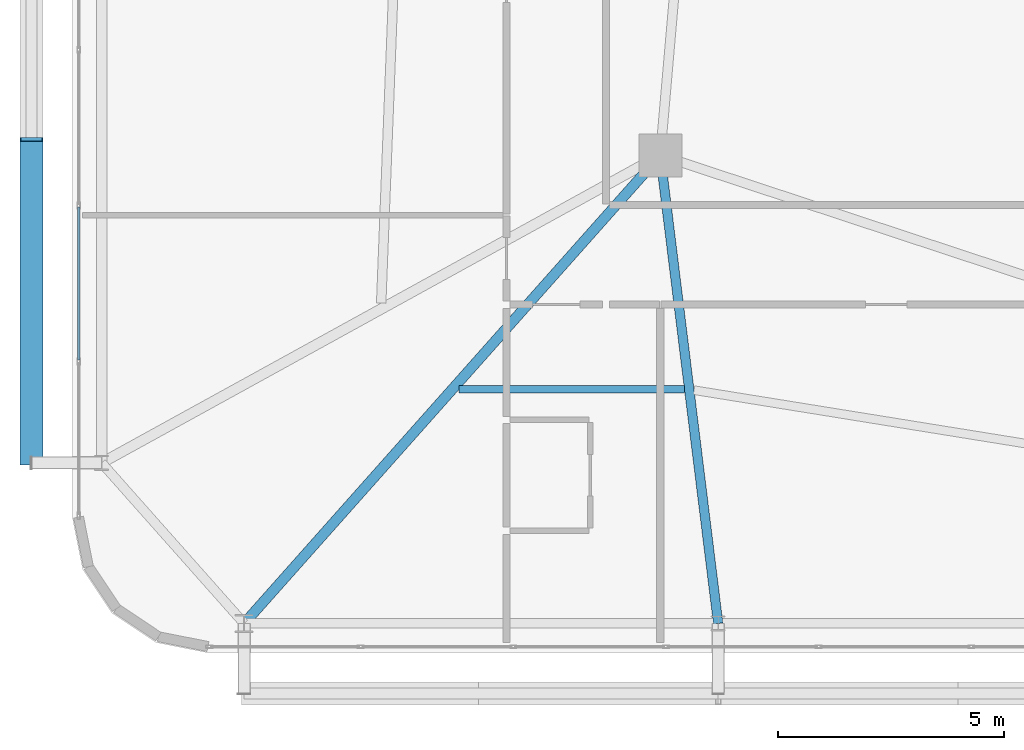
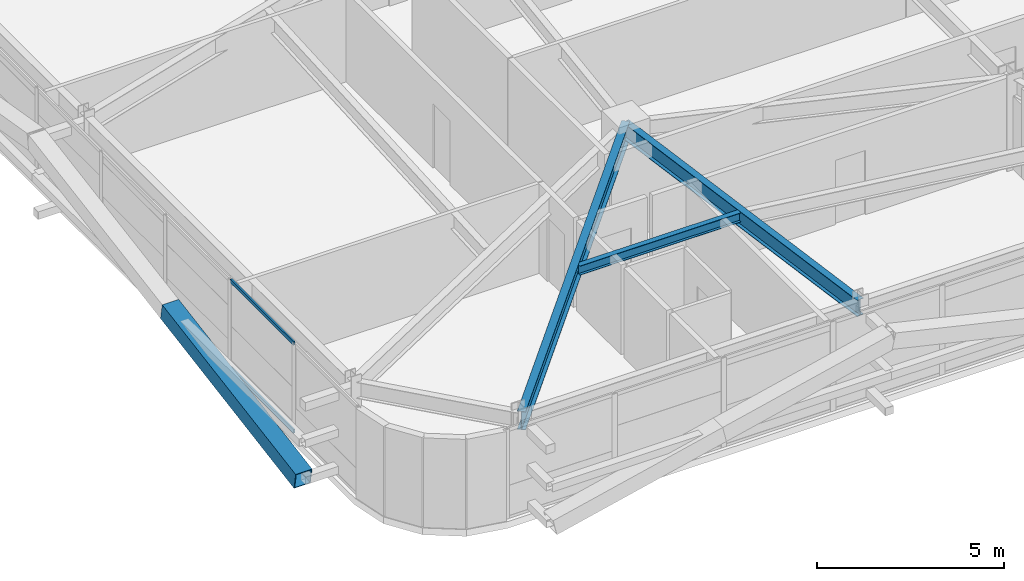
# One storey, part 7 of 59: 3 beams, 3 members, 1 element without a shape of its own.
"""IFC4 building model written with IfcOpenShell, lengths in metres."""

from ifc_helpers import new_model, si_unit, direction, frame, origin, origin_2d, place, context, subcontext, project, spatial, hollow_rectangle, i_section, extrude, source, transform, mapped, material, layer, layer_set, material_profile, profile_set, type_object, element, aggregate, save


model = new_model("IFC4")

# Units and contexts
model_context = context("Model", 3, precision=1e-05, world=origin(), true_north=direction((0.0, 1.0)))
body_context = subcontext(model_context, "Body", "Model", "MODEL_VIEW")
ifc_project = project(units=[si_unit("LENGTHUNIT", "METRE"), si_unit("AREAUNIT", "SQUARE_METRE"), si_unit("VOLUMEUNIT", "CUBIC_METRE"), si_unit("PLANEANGLEUNIT", "RADIAN"), si_unit("MASSUNIT", "GRAM", prefix="KILO")], contexts=[model_context])

# Site, building, storey
site_placement = place(None, origin())
site = spatial("IfcSite", under=ifc_project, at=site_placement, CompositionType="ELEMENT")
building_placement = place(site_placement, origin())
building = spatial("IfcBuilding", under=site, at=building_placement, Name="Taldren Reach Tower", CompositionType="ELEMENT")
storey_placement = place(building_placement, frame((0.0, 0.0, 29.39990234375)))
storey = spatial("IfcBuildingStorey", under=building, at=storey_placement, Name="L08", CompositionType="ELEMENT", Elevation=29.39990234375)

# Beams
ifc_material_1 = material(Name="Steel Gr 350 (350PLUS)", Category="steel")
ifc_material_profile_1 = material_profile(ifc_material_1, i_section(OverallWidth=0.22802734375, OverallDepth=0.60205078125, WebThickness=0.010498046875, FlangeThickness=0.014892578125, at=origin_2d()), Name="610UB101")
ifc_profile_set_1 = profile_set([ifc_material_profile_1], Name="Steel Gr 350 (350PLUS)")
beam_type_1 = type_object("IfcBeamType", Name="BM-UB610B", PredefinedType="BEAM", material=ifc_profile_set_1)
shared_shape_1 = source(origin(), body_context, "Body", "SweptSolid", [
    extrude(i_section(OverallWidth=0.22802734375, OverallDepth=0.60205078125, WebThickness=0.010498046875, FlangeThickness=0.014892578125, at=origin_2d()), origin(), (0.0, 0.0, 1.0), 13.847900390625),
])
beam_1_placement = place(storey_placement, frame((18.0, 12.5, 2.629150390625), z_axis=(-0.664358367375, -0.747414182164, 0.0), x_axis=(0.747414182164, -0.664358367375, 0.0)))
element("IfcBeam", 1, at=beam_1_placement, inside=storey, type_object=beam_type_1, Name="Primary floor girder B1-S1 L08", PredefinedType="BEAM", context=body_context, shape_type="MappedRepresentation", body=[
    mapped(shared_shape_1, transform((0.0, 0.0, 0.0), scale=1.0)),
])
ifc_material_profile_2 = material_profile(ifc_material_1, i_section(OverallWidth=0.208984375, OverallDepth=0.532958984375, WebThickness=0.01025390625, FlangeThickness=0.015625, at=origin_2d()), Name="530UB92.4")
ifc_profile_set_2 = profile_set([ifc_material_profile_2], Name="Steel Gr 350 (350PLUS)")
beam_type_2 = type_object("IfcBeamType", Name="BM-UB530A", PredefinedType="BEAM", material=ifc_profile_set_2)
shared_shape_2 = source(origin(), body_context, "Body", "SweptSolid", [
    extrude(i_section(OverallWidth=0.208984375, OverallDepth=0.532958984375, WebThickness=0.01025390625, FlangeThickness=0.015625, at=origin_2d()), origin(), (0.0, 0.0, 1.0), 10.428955078125),
])
beam_2_placement = place(storey_placement, frame((18.0, 12.5, 2.66357421875), z_axis=(0.122738080664, -0.992439098159, 0.0), x_axis=(0.992439098159, 0.122738080664, 0.0)))
element("IfcBeam", 2, at=beam_2_placement, inside=storey, type_object=beam_type_2, Name="Primary floor girder B1-S2 L08", PredefinedType="BEAM", context=body_context, shape_type="MappedRepresentation", body=[
    mapped(shared_shape_2, transform((0.0, 0.0, 0.0), scale=1.0)),
])
ifc_material_2 = material(Name="Steel Gr 300 (300PLUS, 300 MPa)", Category="steel")
ifc_material_profile_3 = material_profile(ifc_material_2, i_section(OverallWidth=0.166015625, OverallDepth=0.306884765625, WebThickness=0.006591796875, FlangeThickness=0.01171875, at=origin_2d()), Name="310UB46.2")
ifc_profile_set_3 = profile_set([ifc_material_profile_3], Name="Steel Gr 300 (300PLUS, 300 MPa)")
beam_type_3 = type_object("IfcBeamType", Name="JS-UB310", PredefinedType="JOIST", material=ifc_profile_set_3)
shared_shape_3 = source(origin(), body_context, "Body", "SweptSolid", [
    extrude(i_section(OverallWidth=0.166015625, OverallDepth=0.306884765625, WebThickness=0.006591796875, FlangeThickness=0.01171875, at=origin_2d()), origin(), (0.0, 0.0, 1.0), 4.982177734375),
])
beam_3_placement = place(storey_placement, frame((13.552490234375, 7.324951171875, 2.776611328125), z_axis=(1.0, 0.0, 0.0), x_axis=(0.0, 1.0, 0.0)))
element("IfcBeam", 3, at=beam_3_placement, inside=storey, type_object=beam_type_3, Name="Secondary floor joist B1 J1 L08", PredefinedType="JOIST", context=body_context, shape_type="MappedRepresentation", body=[
    mapped(shared_shape_3, transform((0.0, 0.0, 0.0), scale=1.0)),
])

# Member
ifc_material_3 = material(Name="Steel Gr 450 (C450L0)", Category="steel")
ifc_material_profile_4 = material_profile(ifc_material_3, hollow_rectangle(XDim=0.510009765625, YDim=0.510009765625, WallThickness=0.02001953125, at=origin_2d()), Name="510x510x20.0SHS")
ifc_profile_set_4 = profile_set([ifc_material_profile_4], Name="Steel Gr 450 (C450L0)")
member_type_1 = type_object("IfcMemberType", Name="MB-EXO508", PredefinedType="BRACE", material=ifc_profile_set_4)
shared_shape_4 = source(origin(), body_context, "Body", "SweptSolid", [
    extrude(hollow_rectangle(XDim=0.510009765625, YDim=0.510009765625, WallThickness=0.02001953125, at=origin_2d()), origin(), (0.0, 0.0, 1.0), 7.252685546875),
])
member_1_placement = place(storey_placement, frame((4.10009765625, 5.699951171875, 0.22021484375), z_axis=(0.0, 0.985871360071, 0.167504213054), x_axis=(-1.0, 0.0, 0.0)))
element("IfcMember", 4, at=member_1_placement, inside=storey, type_object=member_type_1, Name="Exoskeleton Diagrid Brace B1-W1 L08", PredefinedType="BRACE", context=body_context, shape_type="MappedRepresentation", body=[
    mapped(shared_shape_4, transform((0.0, 0.0, 0.0), scale=1.0)),
])

# Curtain wall, members
ifc_material_4 = material(Name="Aluminium and Low-E Glass Unitised System", Category="aluminium")
ifc_layer = layer(ifc_material_4, 0.159912109375)
ifc_layer_set = layer_set([ifc_layer], Name="Aluminium and Low-E Glass Unitised System")
curtain_wall_type = type_object("IfcCurtainWallType", Name="CW-SYS-2", PredefinedType="NOTDEFINED", material=ifc_layer_set)
curtain_wall_placement = place(storey_placement, origin())
curtain_wall = element("IfcCurtainWall", 5, at=curtain_wall_placement, inside=storey, type_object=curtain_wall_type, Name="Unitised curtain wall CW-L08-W", PredefinedType="NOTDEFINED")
ifc_material_5 = material(Name="Anodised Aluminium 6063-T6", Category="aluminium")
ifc_material_profile_5 = material_profile(ifc_material_5, hollow_rectangle(XDim=0.054931640625, YDim=0.1201171875, WallThickness=0.0029296875, at=origin_2d()), Name="ALU-120x55x3RHS")
ifc_profile_set_5 = profile_set([ifc_material_profile_5], Name="Anodised Aluminium 6063-T6")
member_type_2 = type_object("IfcMemberType", Name="CW-TRN-135", PredefinedType="USERDEFINED", material=ifc_profile_set_5)
shared_shape_5 = source(origin(), body_context, "Body", "SweptSolid", [
    extrude(hollow_rectangle(XDim=0.054931640625, YDim=0.1201171875, WallThickness=0.0029296875, at=origin_2d()), origin(), (0.0, 0.0, 1.0), 3.37939453125),
])
member_2_placement = place(storey_placement, frame((5.139892578125, 11.3564453125, 0.027587890625), z_axis=(0.0, -1.0, 0.0), x_axis=(1.0, 0.0, 0.0)))
member_2 = element("IfcMember", 6, at=member_2_placement, type_object=member_type_2, Name="CW-2 transom 8.1", ObjectType="TRANSOM", PredefinedType="USERDEFINED", context=body_context, shape_type="MappedRepresentation", body=[
    mapped(shared_shape_5, transform((0.0, 0.0, 0.0), scale=1.0)),
])
member_3_placement = place(storey_placement, frame((5.139892578125, 11.3564453125, 2.902587890625), z_axis=(0.0, -1.0, 0.0), x_axis=(1.0, 0.0, 0.0)))
member_3 = element("IfcMember", 7, at=member_3_placement, type_object=member_type_2, Name="CW-2 transom 8.2", ObjectType="TRANSOM", PredefinedType="USERDEFINED", context=body_context, shape_type="MappedRepresentation", body=[
    mapped(shared_shape_5, transform((0.0, 0.0, 0.0), scale=1.0)),
])
aggregate(curtain_wall, [member_2, member_3])

save(model, "model.ifc")
